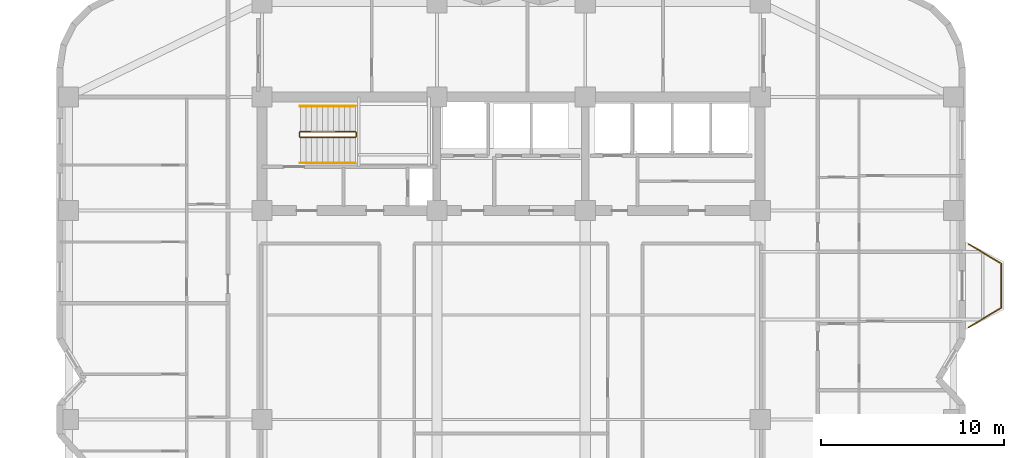
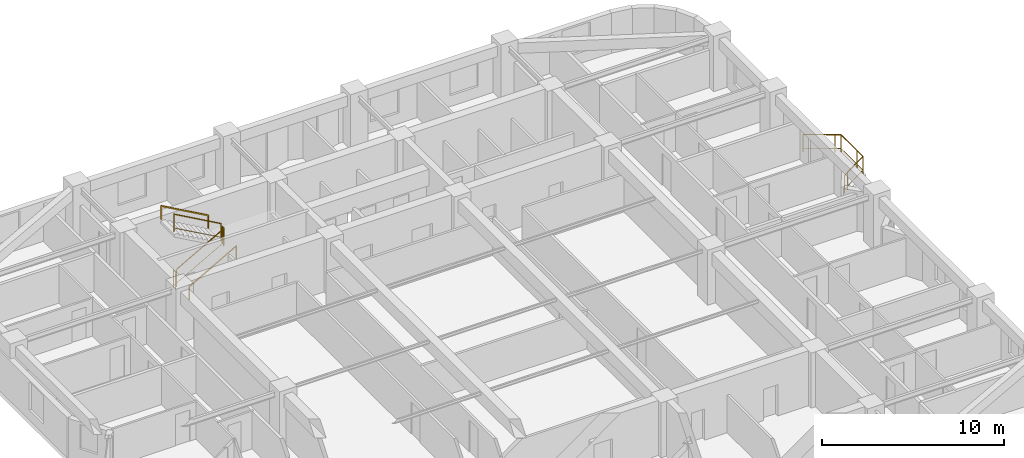
# One storey, part 10 of 10: 7 railings.
"""IFC4 building model written with IfcOpenShell, lengths in metres."""

from ifc_helpers import new_model, si_unit, direction, frame, origin, origin_2d, place, context, subcontext, project, spatial, rectangle, extrude, material, type_object, element, save


model = new_model("IFC4")

# Units and contexts
model_context = context("Model", 3, precision=1e-05, world=origin(), true_north=direction((0.0, 1.0)))
body_context = subcontext(model_context, "Body", "Model", "MODEL_VIEW")
ifc_project = project(units=[si_unit("LENGTHUNIT", "METRE"), si_unit("AREAUNIT", "SQUARE_METRE"), si_unit("VOLUMEUNIT", "CUBIC_METRE"), si_unit("PLANEANGLEUNIT", "RADIAN"), si_unit("MASSUNIT", "GRAM", prefix="KILO")], contexts=[model_context])

# Site, building, storey
site_placement = place(None, origin())
site = spatial("IfcSite", under=ifc_project, at=site_placement, CompositionType="ELEMENT")
building_placement = place(site_placement, origin())
building = spatial("IfcBuilding", under=site, at=building_placement, Name="Svetorya Sky Lyceum", CompositionType="ELEMENT")
storey_placement = place(building_placement, frame((0.0, 0.0, 110.5)))
storey = spatial("IfcBuildingStorey", under=building, at=storey_placement, Name="L27", CompositionType="ELEMENT", Elevation=110.5)

# Railings
ifc_material_1 = material(Name="Laminated safety glass and stainless AISI 316", Category="glass")
railing_type_1 = type_object("IfcRailingType", Name="RL-BAL-1200", PredefinedType="BALUSTRADE", material=ifc_material_1)
railing_1_placement = place(storey_placement, frame((64.169921875, 37.780029296875, 0.0)))
element("IfcRailing", 1, at=railing_1_placement, inside=storey, type_object=railing_type_1, Name="L27 Balcony Balustrade BAL-E1", PredefinedType="BALUSTRADE", context=body_context, shape_type="SweptSolid", body=[
    extrude(rectangle(XDim=0.048095703125, YDim=0.048095703125, at=origin_2d()), frame((0.0, 0.0, 1.17578125), z_axis=(0.857482663744, -0.514512858321, 0.0), x_axis=(0.514512858321, 0.857482663744, 0.0)), (0.0, 0.0, 1.0), 2.09912109375),
    extrude(rectangle(XDim=0.02392578125, YDim=0.02392578125, at=origin_2d()), frame((0.0, 0.0, 0.25), z_axis=(0.857482663744, -0.514512858321, 0.0), x_axis=(0.514512858321, 0.857482663744, 0.0)), (0.0, 0.0, 1.0), 2.09912109375),
    extrude(rectangle(XDim=0.048095703125, YDim=0.048095703125, at=origin_2d()), frame((1.800048828125, -1.080078125, 1.17578125), z_axis=(0.0, -1.0, 0.0), x_axis=(1.0, 0.0, 0.0)), (0.0, 0.0, 1.0), 2.39990234375),
    extrude(rectangle(XDim=0.02392578125, YDim=0.02392578125, at=origin_2d()), frame((1.800048828125, -1.080078125, 0.25), z_axis=(0.0, -1.0, 0.0), x_axis=(1.0, 0.0, 0.0)), (0.0, 0.0, 1.0), 2.39990234375),
    extrude(rectangle(XDim=0.048095703125, YDim=0.048095703125, at=origin_2d()), frame((1.800048828125, -3.47998046875, 1.17578125), z_axis=(-0.857482663744, -0.514512858321, 0.0), x_axis=(0.514512858321, -0.857482663744, 0.0)), (0.0, 0.0, 1.0), 2.09912109375),
    extrude(rectangle(XDim=0.02392578125, YDim=0.02392578125, at=origin_2d()), frame((1.800048828125, -3.47998046875, 0.25), z_axis=(-0.857482663744, -0.514512858321, 0.0), x_axis=(0.514512858321, -0.857482663744, 0.0)), (0.0, 0.0, 1.0), 2.09912109375),
    extrude(rectangle(XDim=0.0419921875, YDim=0.0419921875, at=origin_2d()), origin(), (0.0, 0.0, 1.0), 1.15185546875),
    extrude(rectangle(XDim=0.0419921875, YDim=0.0419921875, at=origin_2d()), frame((1.50048828125, -0.900390625, 0.0)), (0.0, 0.0, 1.0), 1.15185546875),
    extrude(rectangle(XDim=0.0419921875, YDim=0.0419921875, at=origin_2d()), frame((1.800048828125, -1.080078125, 0.0)), (0.0, 0.0, 1.0), 1.15185546875),
    extrude(rectangle(XDim=0.0419921875, YDim=0.0419921875, at=origin_2d()), frame((1.800048828125, -2.830078125, 0.0)), (0.0, 0.0, 1.0), 1.15185546875),
    extrude(rectangle(XDim=0.0419921875, YDim=0.0419921875, at=origin_2d()), frame((1.800048828125, -3.47998046875, 0.0)), (0.0, 0.0, 1.0), 1.15185546875),
    extrude(rectangle(XDim=0.0419921875, YDim=0.0419921875, at=origin_2d()), frame((0.299560546875, -4.38037109375, 0.0)), (0.0, 0.0, 1.0), 1.15185546875),
    extrude(rectangle(XDim=0.0419921875, YDim=0.0419921875, at=origin_2d()), frame((0.0, -4.56005859375, 0.0)), (0.0, 0.0, 1.0), 1.15185546875),
])
ifc_material_2 = material(Name="Painted galvanized stair well guard")
railing_type_2 = type_object("IfcRailingType", Name="RL-STR-GUARD-1200", PredefinedType="GUARDRAIL", material=ifc_material_2)
railing_2_placement = place(storey_placement, frame((27.699951171875, 43.60009765625, 0.168212890625)))
element("IfcRailing", 2, at=railing_2_placement, inside=storey, type_object=railing_type_2, Name="L27 ST-N stair guard 1", PredefinedType="GUARDRAIL", context=body_context, shape_type="SweptSolid", body=[
    extrude(rectangle(XDim=0.048095703125, YDim=0.048095703125, at=origin_2d()), frame((0.0, 0.0, 1.17578125), z_axis=(0.872272294576, 0.0, 0.489020494575), x_axis=(0.0, 1.0, 0.0)), (0.0, 0.0, 1.0), 3.439208984375),
    extrude(rectangle(XDim=0.02392578125, YDim=0.02392578125, at=origin_2d()), frame((0.0, 0.0, 0.25), z_axis=(0.872272294576, 0.0, 0.489020494575), x_axis=(0.0, 1.0, 0.0)), (0.0, 0.0, 1.0), 3.439208984375),
    extrude(rectangle(XDim=0.0419921875, YDim=0.0419921875, at=origin_2d()), origin(), (0.0, 0.0, 1.0), 1.15185546875),
    extrude(rectangle(XDim=0.0419921875, YDim=0.0419921875, at=origin_2d()), frame((3.0, 0.0, 1.681884765625)), (0.0, 0.0, 1.0), 1.15185546875),
])
railing_3_placement = place(storey_placement, frame((30.75, 43.64990234375, 1.85009765625)))
element("IfcRailing", 3, at=railing_3_placement, inside=storey, type_object=railing_type_2, Name="L27 ST-N stair guard 2", PredefinedType="GUARDRAIL", context=body_context, shape_type="SweptSolid", body=[
    extrude(rectangle(XDim=0.048095703125, YDim=0.048095703125, at=origin_2d()), frame((0.0, 0.0, 1.17578125), z_axis=(0.0, 1.0, 0.0), x_axis=(-1.0, 0.0, 0.0)), (0.0, 0.0, 1.0), 0.2001953125),
    extrude(rectangle(XDim=0.02392578125, YDim=0.02392578125, at=origin_2d()), frame((0.0, 0.0, 0.25), z_axis=(0.0, 1.0, 0.0), x_axis=(-1.0, 0.0, 0.0)), (0.0, 0.0, 1.0), 0.2001953125),
    extrude(rectangle(XDim=0.0419921875, YDim=0.0419921875, at=origin_2d()), origin(), (0.0, 0.0, 1.0), 1.15185546875),
    extrude(rectangle(XDim=0.0419921875, YDim=0.0419921875, at=origin_2d()), frame((0.0, 0.2001953125, 0.0)), (0.0, 0.0, 1.0), 1.15185546875),
])
railing_4_placement = place(storey_placement, frame((30.699951171875, 43.89990234375, 2.01806640625)))
element("IfcRailing", 4, at=railing_4_placement, inside=storey, type_object=railing_type_2, Name="L27 ST-N stair guard 3", PredefinedType="GUARDRAIL", context=body_context, shape_type="SweptSolid", body=[
    extrude(rectangle(XDim=0.048095703125, YDim=0.048095703125, at=origin_2d()), frame((0.0, 0.0, 1.17578125), z_axis=(-0.872272294576, 0.0, 0.489020494575), x_axis=(0.0, -1.0, 0.0)), (0.0, 0.0, 1.0), 3.439208984375),
    extrude(rectangle(XDim=0.02392578125, YDim=0.02392578125, at=origin_2d()), frame((0.0, 0.0, 0.25), z_axis=(-0.872272294576, 0.0, 0.489020494575), x_axis=(0.0, -1.0, 0.0)), (0.0, 0.0, 1.0), 3.439208984375),
    extrude(rectangle(XDim=0.0419921875, YDim=0.0419921875, at=origin_2d()), origin(), (0.0, 0.0, 1.0), 1.15185546875),
    extrude(rectangle(XDim=0.0419921875, YDim=0.0419921875, at=origin_2d()), frame((-3.0, 0.0, 1.681884765625)), (0.0, 0.0, 1.0), 1.15185546875),
])
railing_5_placement = place(storey_placement, frame((27.64990234375, 43.64990234375, 0.0)))
element("IfcRailing", 5, at=railing_5_placement, inside=storey, type_object=railing_type_2, Name="L27 ST-N stair guard 4", PredefinedType="GUARDRAIL", context=body_context, shape_type="SweptSolid", body=[
    extrude(rectangle(XDim=0.048095703125, YDim=0.048095703125, at=origin_2d()), frame((0.0, 0.0, 1.17578125), z_axis=(0.0, 1.0, 0.0), x_axis=(-1.0, 0.0, 0.0)), (0.0, 0.0, 1.0), 0.2001953125),
    extrude(rectangle(XDim=0.02392578125, YDim=0.02392578125, at=origin_2d()), frame((0.0, 0.0, 0.25), z_axis=(0.0, 1.0, 0.0), x_axis=(-1.0, 0.0, 0.0)), (0.0, 0.0, 1.0), 0.2001953125),
    extrude(rectangle(XDim=0.0419921875, YDim=0.0419921875, at=origin_2d()), origin(), (0.0, 0.0, 1.0), 1.15185546875),
    extrude(rectangle(XDim=0.0419921875, YDim=0.0419921875, at=origin_2d()), frame((0.0, 0.2001953125, 0.0)), (0.0, 0.0, 1.0), 1.15185546875),
])
ifc_material_3 = material(Name="Brushed stainless AISI 304 stair handrail")
railing_type_3 = type_object("IfcRailingType", Name="RL-STR-HAND-920", PredefinedType="HANDRAIL", material=ifc_material_3)
railing_6_placement = place(storey_placement, frame((27.699951171875, 42.199951171875, 0.168212890625)))
element("IfcRailing", 6, at=railing_6_placement, inside=storey, type_object=railing_type_3, Name="L27 ST-N stair handrail 1", PredefinedType="HANDRAIL", context=body_context, shape_type="SweptSolid", body=[
    extrude(rectangle(XDim=0.048095703125, YDim=0.048095703125, at=origin_2d()), frame((0.0, 0.0, 0.8759765625), z_axis=(0.872272294576, 0.0, 0.489020494575), x_axis=(0.0, 1.0, 0.0)), (0.0, 0.0, 1.0), 3.439208984375),
    extrude(rectangle(XDim=0.0419921875, YDim=0.0419921875, at=origin_2d()), origin(), (0.0, 0.0, 1.0), 0.851806640625),
    extrude(rectangle(XDim=0.0419921875, YDim=0.0419921875, at=origin_2d()), frame((3.0, 0.0, 1.681884765625)), (0.0, 0.0, 1.0), 0.851806640625),
])
railing_7_placement = place(storey_placement, frame((30.699951171875, 45.300048828125, 2.01806640625)))
element("IfcRailing", 7, at=railing_7_placement, inside=storey, type_object=railing_type_3, Name="L27 ST-N stair handrail 2", PredefinedType="HANDRAIL", context=body_context, shape_type="SweptSolid", body=[
    extrude(rectangle(XDim=0.048095703125, YDim=0.048095703125, at=origin_2d()), frame((0.0, 0.0, 0.8759765625), z_axis=(-0.872272294576, 0.0, 0.489020494575), x_axis=(0.0, -1.0, 0.0)), (0.0, 0.0, 1.0), 3.439208984375),
    extrude(rectangle(XDim=0.0419921875, YDim=0.0419921875, at=origin_2d()), origin(), (0.0, 0.0, 1.0), 0.851806640625),
    extrude(rectangle(XDim=0.0419921875, YDim=0.0419921875, at=origin_2d()), frame((-3.0, 0.0, 1.681884765625)), (0.0, 0.0, 1.0), 0.851806640625),
])

save(model, "model.ifc")
